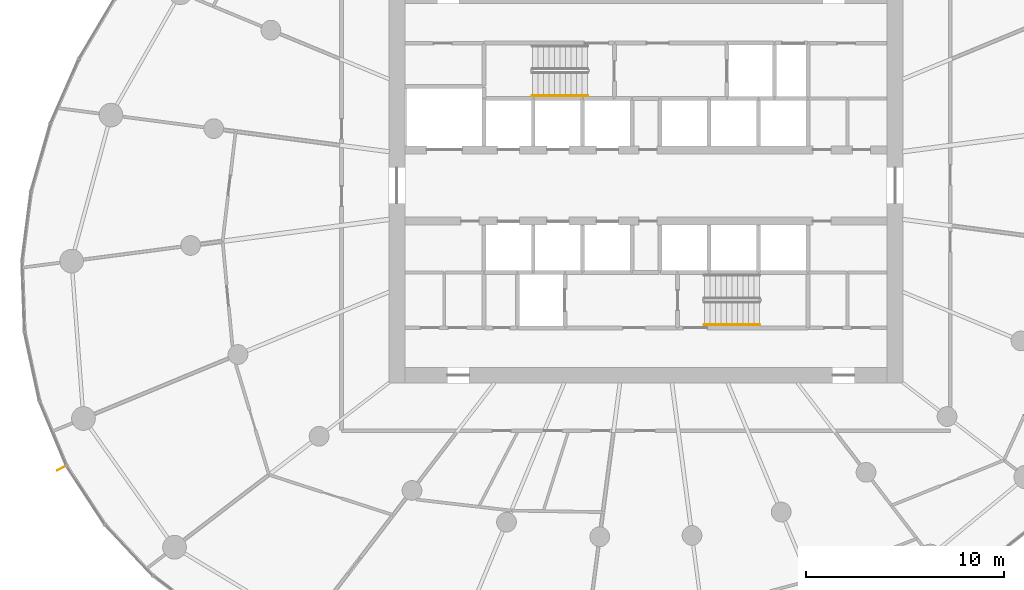
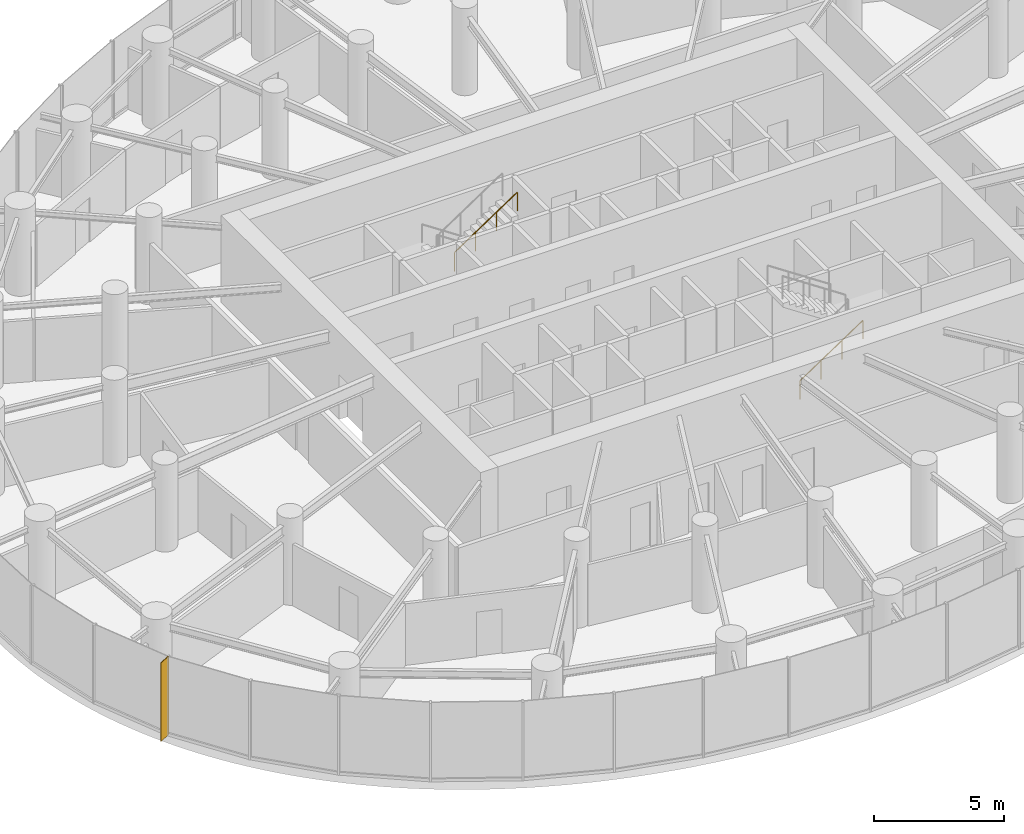
# One storey, part 15 of 17: 2 railings, 1 shading device.
"""IFC4 building model written with IfcOpenShell, lengths in metres."""

import ifcopenshell
import ifcopenshell.guid

model = None  # the IFC model being written
_history = None  # IfcOwnerHistory: only IFC2X3 demands one
_inside = {}  # id of a spatial element -> (the spatial element, [elements in it])
_under = {}  # id of a project, library or spatial element -> (it, [spatial elements below it])
_declared = {}  # id of a project -> (the project, [libraries it declares])
_typed = {}  # id of a type object -> (the type object, [elements of that type])
_made_of = {}  # id of a material, layer set ... -> (it, [elements and type objects made of it])


def new_model(schema):
    """Start an empty IFC model of exactly this schema.

    Asked for "IFC4X3", IfcOpenShell would pick the latest addendum, in which some entities
    have other attributes; the version numbers below select the first issue.
    IFC2X3 requires an IfcOwnerHistory on every rooted entity: one is made here for all.
    """
    global model, _history
    if schema == "IFC4X3":
        model = ifcopenshell.file(schema_version=(4, 3, 0, 0))
    else:
        model = ifcopenshell.file(schema=schema)
    _inside.clear()
    _under.clear()
    _declared.clear()
    _typed.clear()
    _made_of.clear()
    _history = None
    if model.schema == "IFC2X3":
        org = make("IfcOrganization", Name="unknown")
        user = make(
            "IfcPersonAndOrganization",
            ThePerson=make("IfcPerson", FamilyName="unknown"),
            TheOrganization=org,
        )
        app = make(
            "IfcApplication",
            ApplicationDeveloper=org,
            Version="unknown",
            ApplicationFullName="unknown",
            ApplicationIdentifier="unknown",
        )
        _history = make(
            "IfcOwnerHistory",
            OwningUser=user,
            OwningApplication=app,
            ChangeAction="ADDED",
            CreationDate=0,
        )
    return model


def make(cls, **values):
    """One entity of the class cls with the attributes given. An attribute that is None is left unset."""
    return model.create_entity(
        cls, **{name: value for name, value in values.items() if value is not None}
    )


def rooted(cls, **values):
    """An entity with a GlobalId (a new one), such as an element, a storey or a relation."""
    return make(cls, GlobalId=ifcopenshell.guid.new(), OwnerHistory=_history, **values)


def si_unit(unit_type, name, prefix=None):
    """IfcSIUnit, for example si_unit("LENGTHUNIT", "METRE", prefix="MILLI")."""
    return make("IfcSIUnit", UnitType=unit_type, Prefix=prefix, Name=name)


def assignment(units):
    """IfcUnitAssignment: the units of a project."""
    return None if units is None else make("IfcUnitAssignment", Units=units)


def point(xyz):
    """IfcCartesianPoint."""
    return None if xyz is None else make("IfcCartesianPoint", Coordinates=xyz)


def direction(xyz):
    """IfcDirection."""
    return None if xyz is None else make("IfcDirection", DirectionRatios=xyz)


def frame(location, z_axis=None, x_axis=None):
    """IfcAxis2Placement3D, a coordinate frame: its origin and axes. An axis left out is left unset."""
    return make(
        "IfcAxis2Placement3D",
        Location=point(location),
        Axis=direction(z_axis),
        RefDirection=direction(x_axis),
    )


def frame_2d(location, x_axis=None):
    """IfcAxis2Placement2D, a coordinate frame in the plane: its origin and x axis."""
    return make(
        "IfcAxis2Placement2D", Location=point(location), RefDirection=direction(x_axis)
    )


def origin():
    """The frame at (0, 0, 0) with its axes left unset."""
    return frame((0.0, 0.0, 0.0))


def origin_2d():
    """The frame at (0, 0) in the plane with its x axis left unset."""
    return frame_2d((0.0, 0.0))


def place(relative_to, where):
    """IfcLocalPlacement: puts the frame where relative to a parent placement (None: the world)."""
    return make(
        "IfcLocalPlacement", PlacementRelTo=relative_to, RelativePlacement=where
    )


def context(
    kind, dimensions, precision=None, world=None, true_north=None, identifier=None
):
    """IfcGeometricRepresentationContext, for example the 3D "Model" context."""
    return make(
        "IfcGeometricRepresentationContext",
        ContextIdentifier=identifier,
        ContextType=kind,
        CoordinateSpaceDimension=dimensions,
        Precision=precision,
        WorldCoordinateSystem=world,
        TrueNorth=true_north,
    )


def subcontext(parent, identifier, kind, view, scale=None):
    """IfcGeometricRepresentationSubContext, for example "Body" below "Model"."""
    return make(
        "IfcGeometricRepresentationSubContext",
        ContextIdentifier=identifier,
        ContextType=kind,
        ParentContext=parent,
        TargetScale=scale,
        TargetView=view,
    )


def project(units=None, contexts=None):
    """IfcProject with its units and contexts."""
    return rooted(
        "IfcProject",
        Name="project",
        RepresentationContexts=contexts,
        UnitsInContext=assignment(units),
    )


def spatial(cls, under=None, at=None, **own):
    """A site, building, storey or space (cls), placed at a placement, below another one or the project."""
    s = rooted(cls, ObjectPlacement=at, **own)
    if under is not None:
        _under.setdefault(under.id(), (under, []))[1].append(s)
    return s


def profile(cls, at=None, kind="AREA", **sizes):
    """A parametric profile (cls). Its sizes go by their IFC names, for example OverallWidth=200.0."""
    return make(cls, ProfileType=kind, Position=at, **sizes)


def rectangle(**sizes):
    """IfcRectangleProfileDef."""
    return profile("IfcRectangleProfileDef", **sizes)


def circle(**sizes):
    """IfcCircleProfileDef."""
    return profile("IfcCircleProfileDef", **sizes)


def extrude(swept, where, along, depth):
    """IfcExtrudedAreaSolid: the profile swept, set in the frame where, extruded along a direction by depth."""
    return make(
        "IfcExtrudedAreaSolid",
        SweptArea=swept,
        Position=where,
        ExtrudedDirection=direction(along),
        Depth=depth,
    )


def shape(context_of_items, identifier, shape_type, items):
    """IfcShapeRepresentation: the items that make up one representation, for example the "Body"."""
    return make(
        "IfcShapeRepresentation",
        ContextOfItems=context_of_items,
        RepresentationIdentifier=identifier,
        RepresentationType=shape_type,
        Items=items,
    )


def source(mapping_origin, context_of_items, identifier, shape_type, items):
    """IfcRepresentationMap: a shape defined once, which mapped items show again and again."""
    return make(
        "IfcRepresentationMap",
        MappingOrigin=mapping_origin,
        MappedRepresentation=shape(context_of_items, identifier, shape_type, items),
    )


def transform(
    local_origin,
    x_axis=None,
    y_axis=None,
    z_axis=None,
    scale=None,
    scale2=None,
    scale3=None,
    uniform=True,
):
    """IfcCartesianTransformationOperator3D, or its non-uniform kind. x_axis, y_axis, z_axis: its Axis1, 2, 3."""
    if uniform:
        return make(
            "IfcCartesianTransformationOperator3D",
            Axis1=direction(x_axis),
            Axis2=direction(y_axis),
            LocalOrigin=point(local_origin),
            Scale=scale,
            Axis3=direction(z_axis),
        )
    return make(
        "IfcCartesianTransformationOperator3DnonUniform",
        Axis1=direction(x_axis),
        Axis2=direction(y_axis),
        LocalOrigin=point(local_origin),
        Scale=scale,
        Axis3=direction(z_axis),
        Scale2=scale2,
        Scale3=scale3,
    )


def mapped(mapping_source, mapping_target):
    """IfcMappedItem: shows the shape of a source again, moved by a transform."""
    return make(
        "IfcMappedItem", MappingSource=mapping_source, MappingTarget=mapping_target
    )


def material(Name=None, Category=None):
    """IfcMaterial."""
    return make("IfcMaterial", Name=Name, Category=Category)


def material_profile(
    of_material, cross_section, Name=None, Category=None, Priority=None
):
    """IfcMaterialProfile: a cross section and its material."""
    return make(
        "IfcMaterialProfile",
        Name=Name,
        Material=of_material,
        Profile=cross_section,
        Priority=Priority,
        Category=Category,
    )


def profile_set(profiles, Name=None, composite=None):
    """IfcMaterialProfileSet."""
    return make(
        "IfcMaterialProfileSet",
        Name=Name,
        MaterialProfiles=profiles,
        CompositeProfile=composite,
    )


def made_of(thing, what):
    """Note that an element or type object is made of a material, layer set ...; save() writes the relation."""
    if what is not None:
        _made_of.setdefault(what.id(), (what, []))[1].append(thing)
    return thing


def type_object(cls, material=None, **own):
    """A type object (cls), such as IfcWallType, which elements share."""
    return made_of(rooted(cls, **own), material)


def element(
    cls,
    number,
    at=None,
    inside=None,
    cuts=None,
    type_object=None,
    material=None,
    context=None,
    identifier="Body",
    shape_type=None,
    held_by="IfcProductDefinitionShape",
    body=None,
    shapes=None,
    **own,
):
    """One element of the class cls, such as IfcWall. Its Tag is "e" and its number.

    at: its placement. inside: the storey or other place that contains it. cuts: it is an
    opening in that element (IfcRelVoidsElement). A single representation is given by context,
    identifier, shape_type and body (its items); several are given by shapes. held_by: the class
    of the entity that holds the representations. save() writes the other relations.
    """
    e = rooted(cls, Tag="e%d" % number, ObjectPlacement=at, **own)
    if body is not None:
        shapes = [shape(context, identifier, shape_type, body)]
    if shapes is not None:
        e.Representation = make(held_by, Representations=shapes)
    if inside is not None:
        _inside.setdefault(inside.id(), (inside, []))[1].append(e)
    if cuts is not None:
        rooted(
            "IfcRelVoidsElement", RelatingBuildingElement=cuts, RelatedOpeningElement=e
        )
    if type_object is not None:
        _typed.setdefault(type_object.id(), (type_object, []))[1].append(e)
    return made_of(e, material)


def aggregate(whole, parts):
    """IfcRelAggregates: a whole, such as a stair, and the parts it consists of."""
    return rooted("IfcRelAggregates", RelatingObject=whole, RelatedObjects=parts)


def save(model, path):
    """Write the relations noted so far, then the file.

    IfcRelAggregates (storeys below a building ...), IfcRelContainedInSpatialStructure (elements
    in a storey), IfcRelDefinesByType, IfcRelAssociatesMaterial and IfcRelDeclares: one each for
    every whole, place, type object, material and project.
    """
    for whole, parts in _under.values():
        aggregate(whole, parts)
    for where, things in _inside.values():
        rooted(
            "IfcRelContainedInSpatialStructure",
            RelatedElements=things,
            RelatingStructure=where,
        )
    for kind, things in _typed.values():
        rooted("IfcRelDefinesByType", RelatedObjects=things, RelatingType=kind)
    for what, things in _made_of.values():
        rooted("IfcRelAssociatesMaterial", RelatedObjects=things, RelatingMaterial=what)
    for by, libraries in _declared.values():
        rooted("IfcRelDeclares", RelatingContext=by, RelatedDefinitions=libraries)
    model.write(path)


model = new_model("IFC4")

# Units and contexts
model_context = context("Model", 3, precision=1e-05, world=origin(), true_north=direction((0.0, 1.0)))
body_context = subcontext(model_context, "Body", "Model", "MODEL_VIEW")
ifc_project = project(units=[si_unit("LENGTHUNIT", "METRE"), si_unit("AREAUNIT", "SQUARE_METRE"), si_unit("VOLUMEUNIT", "CUBIC_METRE"), si_unit("PLANEANGLEUNIT", "RADIAN"), si_unit("MASSUNIT", "GRAM", prefix="KILO")], contexts=[model_context])

# Site, building, storey
site_placement = place(None, origin())
site = spatial("IfcSite", under=ifc_project, at=site_placement, CompositionType="ELEMENT")
building_placement = place(site_placement, origin())
building = spatial("IfcBuilding", under=site, at=building_placement, Name="Spindrift Exchange Tower", CompositionType="ELEMENT")
storey_placement = place(building_placement, frame((0.0, 0.0, 88.0)))
storey = spatial("IfcBuildingStorey", under=building, at=storey_placement, Name="L20", CompositionType="ELEMENT", Elevation=88.0)

# Railings
ifc_material_1 = material(Name="Steel tubular handrail", Category="steel")
railing_type = type_object("IfcRailingType", Name="RL-STAIR-HAND", PredefinedType="HANDRAIL", material=ifc_material_1)
for number, where, name in (
    (1, (46.25, 52.550048828125, 2.236328125), "L20 ST1 stair handrail 2"),
    (2, (54.949951171875, 40.949951171875, 0.186279296875), "L20 ST2 stair handrail 1"),
):
    element("IfcRailing", number, at=place(storey_placement, frame(where)), inside=storey, type_object=railing_type, Name=name, PredefinedType="HANDRAIL", context=body_context, shape_type="SweptSolid", body=[
        extrude(circle(Radius=0.02392578125, at=origin_2d()), frame((0.0, 0.0, 0.8759765625), z_axis=(0.832452072856, 0.0, 0.554097055034), x_axis=(0.0, 1.0, 0.0)), (0.0, 0.0, 1.0), 3.363525390625),
        extrude(circle(Radius=0.02099609375, at=origin_2d()), origin(), (0.0, 0.0, 1.0), 0.851806640625),
        extrude(circle(Radius=0.02099609375, at=origin_2d()), frame((0.933349609375, 0.0, 0.621337890625)), (0.0, 0.0, 1.0), 0.851806640625),
        extrude(circle(Radius=0.02099609375, at=origin_2d()), frame((1.86669921875, 0.0, 1.242431640625)), (0.0, 0.0, 1.0), 0.851806640625),
        extrude(circle(Radius=0.02099609375, at=origin_2d()), frame((2.800048828125, 0.0, 1.86376953125)), (0.0, 0.0, 1.0), 0.851806640625),
    ])

# Shading device
ifc_material_2 = material(Name="Bronze anodised aluminium", Category="aluminium")
ifc_material_profile = material_profile(ifc_material_2, rectangle(XDim=0.030029296875, YDim=0.550048828125, at=origin_2d()), Name="WIND FIN 30X550")
ifc_profile_set = profile_set([ifc_material_profile], Name="Bronze anodised aluminium")
shading_device_type = type_object("IfcShadingDeviceType", Name="WIND FIN 30X550", PredefinedType="USERDEFINED", material=ifc_profile_set)
shared_shape = source(origin(), body_context, "Body", "SweptSolid", [
    extrude(rectangle(XDim=0.030029296875, YDim=0.550048828125, at=origin_2d()), origin(), (0.0, 0.0, 1.0), 3.699951171875),
])
shading_device_placement = place(storey_placement, frame((22.464111328125, 33.71533203125, 0.0), z_axis=(0.0, 0.0, 1.0), x_axis=(0.468121068589, -0.883664339635, 0.0)))
element("IfcShadingDevice", 3, at=shading_device_placement, inside=storey, type_object=shading_device_type, Name="L20 wind fin 1", ObjectType="FIN", PredefinedType="USERDEFINED", context=body_context, shape_type="MappedRepresentation", body=[
    mapped(shared_shape, transform((0.0, 0.0, 0.0), scale=1.0)),
])

save(model, "model.ifc")
